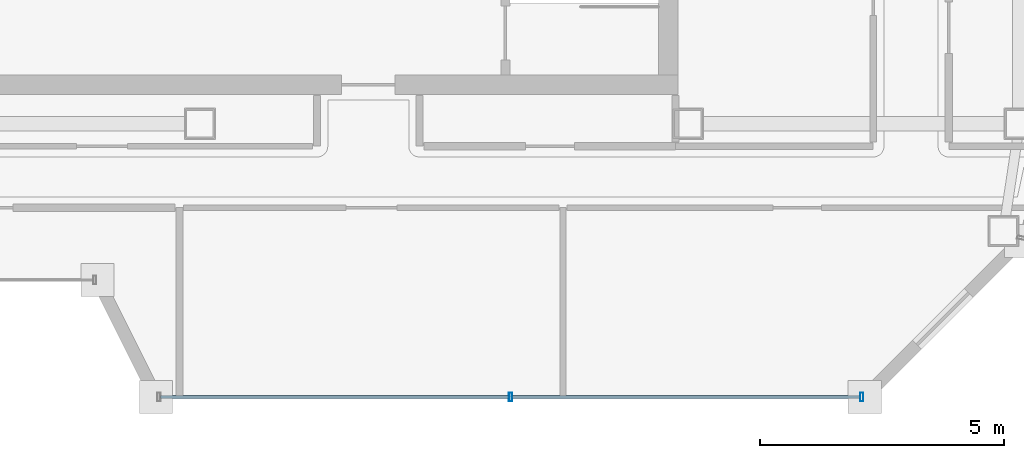
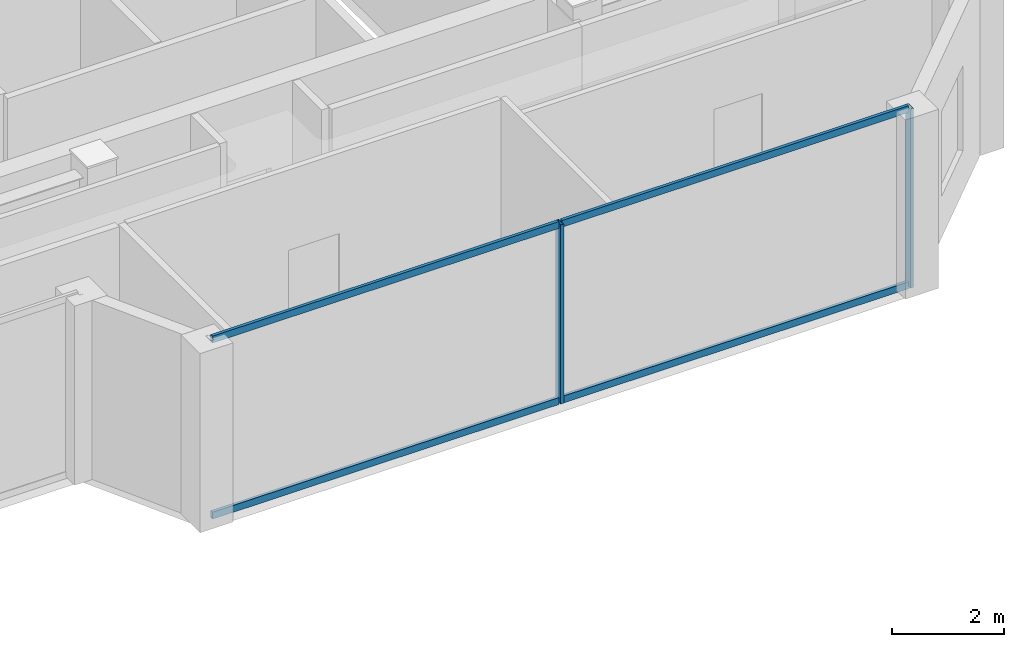
# One storey, part 9 of 17: 6 members, 1 element without a shape of its own.
"""IFC4 building model written with IfcOpenShell, lengths in metres."""

from ifc_helpers import new_model, si_unit, direction, frame, origin, origin_2d, place, context, subcontext, project, spatial, hollow_rectangle, extrude, material, material_profile, profile_set, type_object, element, aggregate, save


model = new_model("IFC4")

# Units and contexts
model_context = context("Model", 3, precision=1e-05, world=origin(), true_north=direction((0.0, 1.0)))
body_context = subcontext(model_context, "Body", "Model", "MODEL_VIEW")
ifc_project = project(units=[si_unit("LENGTHUNIT", "METRE"), si_unit("AREAUNIT", "SQUARE_METRE"), si_unit("VOLUMEUNIT", "CUBIC_METRE"), si_unit("PLANEANGLEUNIT", "RADIAN"), si_unit("MASSUNIT", "GRAM", prefix="KILO")], contexts=[model_context])

# Site, building, storey
site_placement = place(None, origin())
site = spatial("IfcSite", under=ifc_project, at=site_placement, CompositionType="ELEMENT")
building_placement = place(site_placement, origin())
building = spatial("IfcBuilding", under=site, at=building_placement, Name="Saevonmaru Cultural Tower", CompositionType="ELEMENT")
storey_placement = place(building_placement, frame((0.0, 0.0, 323.39990234375)))
storey = spatial("IfcBuildingStorey", under=building, at=storey_placement, Name="L77", CompositionType="ELEMENT", Elevation=323.39990234375)

# Curtain wall, members
ifc_material = material(Name="Satin Bronze Anodised Aluminium", Category="aluminium")
curtain_wall_type = type_object("IfcCurtainWallType", Name="CW-SKY-GLZ", PredefinedType="NOTDEFINED", material=ifc_material)
curtain_wall_placement = place(storey_placement, origin())
curtain_wall = element("IfcCurtainWall", 1, at=curtain_wall_placement, inside=storey, type_object=curtain_wall_type, Name="L77 Unitised Curtain Wall E6", PredefinedType="NOTDEFINED")
ifc_material_profile_1 = material_profile(ifc_material, hollow_rectangle(XDim=0.06494140625, YDim=0.179931640625, WallThickness=0.00390625, at=origin_2d()), Name="ALU-MULL-180x65x4")
ifc_profile_set_1 = profile_set([ifc_material_profile_1], Name="Satin Bronze Anodised Aluminium")
member_type_1 = type_object("IfcMemberType", Name="ML-CW-180x65", PredefinedType="MULLION", material=ifc_profile_set_1)
member_1_placement = place(storey_placement, frame((42.763427734375, 36.800048828125, 0.0), z_axis=(0.0, 0.0, 1.0), x_axis=(1.0, 0.0, 0.0)))
member_1 = element("IfcMember", 2, at=member_1_placement, type_object=member_type_1, Name="CW-TW-L77-E6 mullion 2", PredefinedType="MULLION", context=body_context, shape_type="SweptSolid", body=[
    extrude(hollow_rectangle(XDim=0.06494140625, YDim=0.179931640625, WallThickness=0.00390625, at=origin_2d()), origin(), (0.0, 0.0, 1.0), 3.900146484375),
])
member_2_placement = place(storey_placement, frame((49.966796875, 36.800048828125, 0.0), z_axis=(0.0, 0.0, 1.0), x_axis=(1.0, 0.0, 0.0)))
member_2 = element("IfcMember", 3, at=member_2_placement, type_object=member_type_1, Name="CW-TW-L77-E6 mullion 3", PredefinedType="MULLION", context=body_context, shape_type="SweptSolid", body=[
    extrude(hollow_rectangle(XDim=0.06494140625, YDim=0.179931640625, WallThickness=0.00390625, at=origin_2d()), origin(), (0.0, 0.0, 1.0), 3.900146484375),
])
ifc_material_profile_2 = material_profile(ifc_material, hollow_rectangle(XDim=0.06494140625, YDim=0.14990234375, WallThickness=0.00390625, at=origin_2d()), Name="ALU-TRAN-150x65x4")
ifc_profile_set_2 = profile_set([ifc_material_profile_2], Name="Satin Bronze Anodised Aluminium")
member_type_2 = type_object("IfcMemberType", Name="TR-CW-150x65", PredefinedType="USERDEFINED", material=ifc_profile_set_2)
member_3_placement = place(storey_placement, frame((35.592529296875, 36.800048828125, 0.03271484375), z_axis=(1.0, 0.0, 0.0), x_axis=(0.0, 1.0, 0.0)))
member_3 = element("IfcMember", 4, at=member_3_placement, type_object=member_type_2, Name="CW-TW-L77-E6 transom 1.1", ObjectType="TRANSOM", PredefinedType="USERDEFINED", context=body_context, shape_type="SweptSolid", body=[
    extrude(hollow_rectangle(XDim=0.06494140625, YDim=0.14990234375, WallThickness=0.00390625, at=origin_2d()), origin(), (0.0, 0.0, 1.0), 7.138427734375),
])
member_4_placement = place(storey_placement, frame((35.592529296875, 36.800048828125, 3.86767578125), z_axis=(1.0, 0.0, 0.0), x_axis=(0.0, 1.0, 0.0)))
member_4 = element("IfcMember", 5, at=member_4_placement, type_object=member_type_2, Name="CW-TW-L77-E6 transom 1.2", ObjectType="TRANSOM", PredefinedType="USERDEFINED", context=body_context, shape_type="SweptSolid", body=[
    extrude(hollow_rectangle(XDim=0.06494140625, YDim=0.14990234375, WallThickness=0.00390625, at=origin_2d()), origin(), (0.0, 0.0, 1.0), 7.138427734375),
])
member_5_placement = place(storey_placement, frame((42.7958984375, 36.800048828125, 0.03271484375), z_axis=(1.0, 0.0, 0.0), x_axis=(0.0, 1.0, 0.0)))
member_5 = element("IfcMember", 6, at=member_5_placement, type_object=member_type_2, Name="CW-TW-L77-E6 transom 2.1", ObjectType="TRANSOM", PredefinedType="USERDEFINED", context=body_context, shape_type="SweptSolid", body=[
    extrude(hollow_rectangle(XDim=0.06494140625, YDim=0.14990234375, WallThickness=0.00390625, at=origin_2d()), origin(), (0.0, 0.0, 1.0), 7.13818359375),
])
member_6_placement = place(storey_placement, frame((42.7958984375, 36.800048828125, 3.86767578125), z_axis=(1.0, 0.0, 0.0), x_axis=(0.0, 1.0, 0.0)))
member_6 = element("IfcMember", 7, at=member_6_placement, type_object=member_type_2, Name="CW-TW-L77-E6 transom 2.2", ObjectType="TRANSOM", PredefinedType="USERDEFINED", context=body_context, shape_type="SweptSolid", body=[
    extrude(hollow_rectangle(XDim=0.06494140625, YDim=0.14990234375, WallThickness=0.00390625, at=origin_2d()), origin(), (0.0, 0.0, 1.0), 7.13818359375),
])
aggregate(curtain_wall, [member_1, member_2, member_3, member_4, member_5, member_6])

save(model, "model.ifc")
